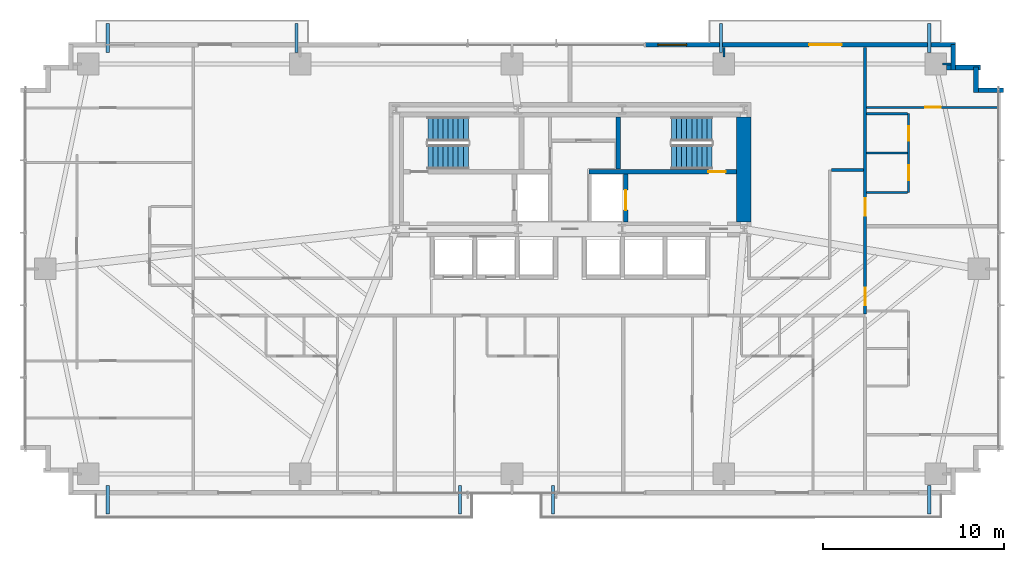
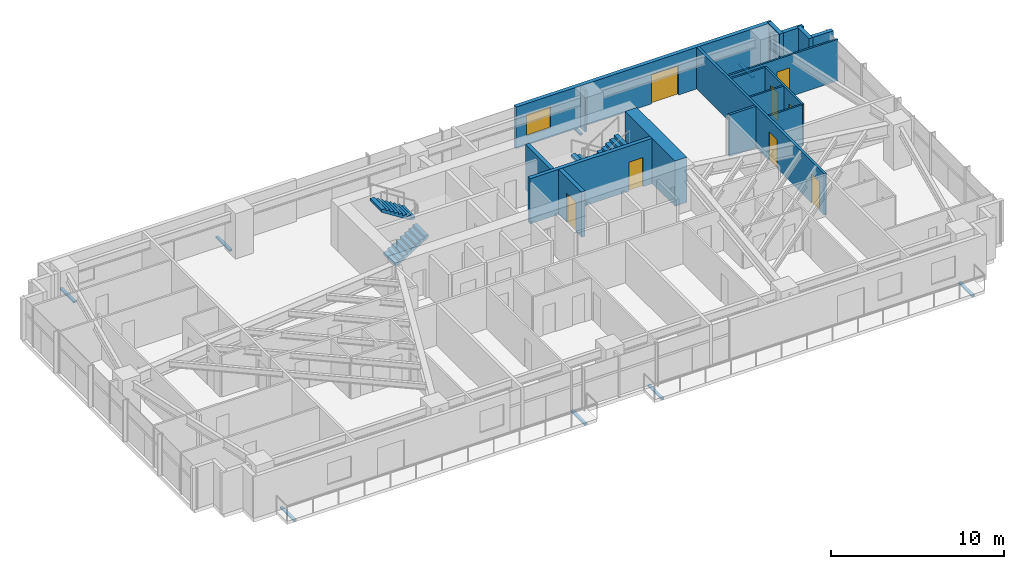
# One storey, part 22 of 25: 18 walls, 8 discrete accessories, 8 doors, 4 stair flights, 1 window, 9 openings, 2 elements without a shape of their own.
"""IFC4 building model written with IfcOpenShell, lengths in metres."""

from ifc_helpers import new_model, si_unit, direction, frame, frame_2d, origin, origin_2d, place, context, subcontext, project, spatial, polyline, rectangle, outline, extrude, source, transform, mapped, material, layer, layer_set, type_object, type_shapes, element, fill, aggregate, save


model = new_model("IFC4")

# Units and contexts
model_context = context("Model", 3, precision=1e-05, world=origin(), true_north=direction((0.0, 1.0)))
body_context = subcontext(model_context, "Body", "Model", "MODEL_VIEW")
ifc_project = project(units=[si_unit("LENGTHUNIT", "METRE"), si_unit("AREAUNIT", "SQUARE_METRE"), si_unit("VOLUMEUNIT", "CUBIC_METRE"), si_unit("PLANEANGLEUNIT", "RADIAN"), si_unit("MASSUNIT", "GRAM", prefix="KILO")], contexts=[model_context])

# Site, building, storey
site_placement = place(None, origin())
site = spatial("IfcSite", under=ifc_project, at=site_placement, CompositionType="ELEMENT")
building_placement = place(site_placement, origin())
building = spatial("IfcBuilding", under=site, at=building_placement, Name="Astriad Promenade Condominiums", CompositionType="ELEMENT")
storey_placement = place(building_placement, frame((0.0, 0.0, 48.60009765625)))
storey = spatial("IfcBuildingStorey", under=building, at=storey_placement, Name="L13", CompositionType="ELEMENT", Elevation=48.60009765625)

# Wall
ifc_material_1 = material(Name="Concrete C80/95", Category="concrete")
ifc_layer_1 = layer(ifc_material_1, 0.800048828125)
ifc_layer_set_1 = layer_set([ifc_layer_1], Name="Concrete C80/95")
wall_type_1 = type_object("IfcWallType", Name="CW-SHEAR-800", PredefinedType="SHEAR", material=ifc_layer_set_1)
wall_1_placement = place(storey_placement, frame((45.60009765625, 17.802001953125, 0.0), z_axis=(0.0, 0.0, 1.0), x_axis=(0.0, 1.0, 0.0)))
element("IfcWall", 1, at=wall_1_placement, inside=storey, type_object=wall_type_1, Name="CW-CORE-E-L13", PredefinedType="SHEAR", context=body_context, shape_type="SweptSolid", body=[
    extrude(rectangle(XDim=5.7958984375, YDim=0.800048828125, at=frame_2d((2.89794921875, 0.0))), origin(), (0.0, 0.0, 1.0), 3.199951171875),
])

# Wall, opening, door
ifc_material_2 = material(Name="Concrete C50/60", Category="concrete")
ifc_layer_2 = layer(ifc_material_2, 0.25)
ifc_layer_set_2 = layer_set([ifc_layer_2], Name="Concrete C50/60")
wall_type_2 = type_object("IfcWallType", Name="WALL-CORE-INT-250", PredefinedType="SOLIDWALL", material=ifc_layer_set_2)
wall_2_placement = place(storey_placement, frame((37.050048828125, 20.574951171875, 0.0), z_axis=(0.0, 0.0, 1.0), x_axis=(1.0, 0.0, 0.0)))
wall_2 = element("IfcWall", 2, at=wall_2_placement, inside=storey, type_object=wall_type_2, Name="CW-INT-H2-L13", PredefinedType="SOLIDWALL", context=body_context, shape_type="SweptSolid", body=[
    extrude(rectangle(XDim=8.14794921875, YDim=0.25, at=frame_2d((4.073974609375, 0.0))), origin(), (0.0, 0.0, 1.0), 3.199951171875),
])
opening_1_placement = place(wall_2_placement, frame((6.60009765625, 0.0, 0.0)))
opening_1 = element("IfcOpeningElement", 3, at=opening_1_placement, cuts=wall_2, Name="Opening FD90-ST-095", PredefinedType="OPENING", context=body_context, shape_type="SweptSolid", body=[
    extrude(rectangle(XDim=0.949951171875, YDim=2.06005859375, at=frame_2d((0.47509765625, 1.030029296875))), frame((0.0, 0.135009765625, 0.0), z_axis=(0.0, -1.0, 0.0), x_axis=(1.0, 0.0, 0.0)), (0.0, 0.0, 1.0), 0.27001953125),
])
ifc_material_3 = material(Name="Fire-Rated Hollow Metal Stair Door")
door_type_1 = type_object("IfcDoorType", Name="FD90-ST-095", OperationType="NOTDEFINED", PredefinedType="DOOR", material=ifc_material_3)
shared_shape_1 = source(origin(), body_context, "Body", "SweptSolid", [
    extrude(rectangle(XDim=0.949951171875, YDim=2.06005859375, at=frame_2d((0.47509765625, 1.030029296875))), frame((0.0, 0.02490234375, 0.0), z_axis=(0.0, -1.0, 0.0), x_axis=(1.0, 0.0, 0.0)), (0.0, 0.0, 1.0), 0.050048828125),
])
type_shapes(door_type_1, [shared_shape_1])
door_1_placement = place(opening_1_placement, origin())
door_1 = element("IfcDoor", 4, at=door_1_placement, inside=storey, type_object=door_type_1, Name="D-ST2-L13", OperationType="SINGLE_SWING_RIGHT", OverallHeight=2.06005859375, OverallWidth=0.949951171875, PredefinedType="DOOR", context=body_context, shape_type="MappedRepresentation", body=[
    mapped(shared_shape_1, transform((0.0, 0.0, 0.0), scale=1.0)),
])
fill(opening_1, door_1)

# Wall
wall_3_placement = place(storey_placement, frame((38.675048828125, 20.701904296875, 0.0), z_axis=(0.0, 0.0, 1.0), x_axis=(0.0, 1.0, 0.0)))
element("IfcWall", 5, at=wall_3_placement, inside=storey, type_object=wall_type_2, Name="CW-ST2-W-L13", PredefinedType="SOLIDWALL", context=body_context, shape_type="SweptSolid", body=[
    extrude(rectangle(XDim=2.89599609375, YDim=0.25, at=frame_2d((1.447998046875, 0.0))), origin(), (0.0, 0.0, 1.0), 3.199951171875),
])

# Wall, opening, door
wall_4_placement = place(storey_placement, frame((39.074951171875, 17.802001953125, 0.0), z_axis=(0.0, 0.0, 1.0), x_axis=(0.0, 1.0, 0.0)))
wall_4 = element("IfcWall", 6, at=wall_4_placement, inside=storey, type_object=wall_type_2, Name="CW-FFL2-E-L13", PredefinedType="SOLIDWALL", context=body_context, shape_type="SweptSolid", body=[
    extrude(rectangle(XDim=2.64599609375, YDim=0.25, at=frame_2d((1.322998046875, 0.0))), origin(), (0.0, 0.0, 1.0), 3.199951171875),
])
opening_2_placement = place(wall_4_placement, frame((0.64794921875, 0.0, 0.0)))
opening_2 = element("IfcOpeningElement", 7, at=opening_2_placement, cuts=wall_4, Name="Opening LD-FFL-1122", PredefinedType="OPENING", context=body_context, shape_type="SweptSolid", body=[
    extrude(rectangle(XDim=1.10009765625, YDim=2.080078125, at=frame_2d((0.550048828125, 1.0400390625))), frame((0.0, 0.135009765625, 0.0), z_axis=(0.0, -1.0, 0.0), x_axis=(1.0, 0.0, 0.0)), (0.0, 0.0, 1.0), 0.27001953125),
])
ifc_material_4 = material(Name="Brushed Stainless Steel Fire Elevator Landing Door", Category="steel")
door_type_2 = type_object("IfcDoorType", Name="LD-FFL-1122", OperationType="NOTDEFINED", PredefinedType="DOOR", material=ifc_material_4)
shared_shape_2 = source(origin(), body_context, "Body", "SweptSolid", [
    extrude(rectangle(XDim=1.10009765625, YDim=2.080078125, at=frame_2d((0.550048828125, 1.0400390625))), frame((0.0, 0.02490234375, 0.0), z_axis=(0.0, -1.0, 0.0), x_axis=(1.0, 0.0, 0.0)), (0.0, 0.0, 1.0), 0.050048828125),
])
type_shapes(door_type_2, [shared_shape_2])
door_2_placement = place(opening_2_placement, origin())
door_2 = element("IfcDoor", 8, at=door_2_placement, inside=storey, type_object=door_type_2, Name="Elevator Landing Door FFL-2 (L13)", OperationType="SLIDING_TO_RIGHT", OverallHeight=2.080078125, OverallWidth=1.10009765625, PredefinedType="DOOR", context=body_context, shape_type="MappedRepresentation", body=[
    mapped(shared_shape_2, transform((0.0, 0.0, 0.0), scale=1.0)),
])
fill(opening_2, door_2)

# Wall, openings, doors
ifc_material_5 = material(Name="Fire-Rated Gypsum Partition")
ifc_layer_3 = layer(ifc_material_5, 0.159912109375)
ifc_layer_set_3 = layer_set([ifc_layer_3], Name="Fire-Rated Gypsum Partition")
wall_type_3 = type_object("IfcWallType", Name="WALL-CORR-160", PredefinedType="PARTITIONING", material=ifc_layer_set_3)
wall_5_placement = place(storey_placement, frame((52.300048828125, 12.7119140625, 0.0), z_axis=(0.0, 0.0, 1.0), x_axis=(0.0, 1.0, 0.0)))
wall_5 = element("IfcWall", 9, at=wall_5_placement, inside=storey, type_object=wall_type_3, Name="PT-COR-E-L13-S2", PredefinedType="PARTITIONING", context=body_context, shape_type="SweptSolid", body=[
    extrude(rectangle(XDim=14.72607421875, YDim=0.159912109375, at=frame_2d((7.363037109375, 0.0))), origin(), (0.0, 0.0, 1.0), 2.93994140625),
])
opening_3_placement = place(wall_5_placement, frame((0.492919921875, 0.0, 0.0)))
opening_3 = element("IfcOpeningElement", 10, at=opening_3_placement, cuts=wall_5, Name="Opening FD60-APT-095", PredefinedType="OPENING", context=body_context, shape_type="SweptSolid", body=[
    extrude(rectangle(XDim=0.949951171875, YDim=2.06005859375, at=frame_2d((0.47509765625, 1.030029296875))), frame((0.0, 0.08984375, 0.0), z_axis=(0.0, -1.0, 0.0), x_axis=(1.0, 0.0, 0.0)), (0.0, 0.0, 1.0), 0.179931640625),
])
opening_4_placement = place(wall_5_placement, frame((5.43310546875, 0.0, 0.0)))
opening_4 = element("IfcOpeningElement", 11, at=opening_4_placement, cuts=wall_5, Name="Opening FD60-APT-095", PredefinedType="OPENING", context=body_context, shape_type="SweptSolid", body=[
    extrude(rectangle(XDim=0.949951171875, YDim=2.06005859375, at=frame_2d((0.47509765625, 1.030029296875))), frame((0.0, 0.08984375, 0.0), z_axis=(0.0, -1.0, 0.0), x_axis=(1.0, 0.0, 0.0)), (0.0, 0.0, 1.0), 0.179931640625),
])
ifc_material_6 = material(Name="Solid-Core Acoustic Timber Residence Entry Door", Category="wood")
door_type_3 = type_object("IfcDoorType", Name="FD60-APT-095", OperationType="NOTDEFINED", PredefinedType="DOOR", material=ifc_material_6)
shared_shape_3 = source(origin(), body_context, "Body", "SweptSolid", [
    extrude(rectangle(XDim=0.949951171875, YDim=2.06005859375, at=frame_2d((0.47509765625, 1.030029296875))), frame((0.0, 0.02490234375, 0.0), z_axis=(0.0, -1.0, 0.0), x_axis=(1.0, 0.0, 0.0)), (0.0, 0.0, 1.0), 0.050048828125),
])
type_shapes(door_type_3, [shared_shape_3])
door_3_placement = place(opening_3_placement, origin())
door_3 = element("IfcDoor", 12, at=door_3_placement, inside=storey, type_object=door_type_3, Name="D-ENT-L13-E1", OperationType="SINGLE_SWING_LEFT", OverallHeight=2.06005859375, OverallWidth=0.949951171875, PredefinedType="DOOR", context=body_context, shape_type="MappedRepresentation", body=[
    mapped(shared_shape_3, transform((0.0, 0.0, 0.0), scale=1.0)),
])
fill(opening_3, door_3)
door_4_placement = place(opening_4_placement, origin())
door_4 = element("IfcDoor", 13, at=door_4_placement, inside=storey, type_object=door_type_3, Name="D-ENT-L13-E2", OperationType="SINGLE_SWING_LEFT", OverallHeight=2.06005859375, OverallWidth=0.949951171875, PredefinedType="DOOR", context=body_context, shape_type="MappedRepresentation", body=[
    mapped(shared_shape_3, transform((0.0, 0.0, 0.0), scale=1.0)),
])
fill(opening_4, door_4)

# Wall
wall_6_placement = place(storey_placement, frame((50.431884765625, 20.64990234375, 0.0), z_axis=(0.0, 0.0, 1.0), x_axis=(1.0, 0.0, 0.0)))
element("IfcWall", 14, at=wall_6_placement, inside=storey, type_object=wall_type_3, Name="PT-EALC-N-L13", PredefinedType="PARTITIONING", context=body_context, shape_type="SweptSolid", body=[
    extrude(rectangle(XDim=1.7861328125, YDim=0.159912109375, at=frame_2d((0.89306640625, 0.0))), origin(), (0.0, 0.0, 1.0), 2.93994140625),
])

# Wall, openings, door, window
ifc_material_7 = material(Name="Precast concrete C50/60", Category="concrete")
ifc_layer_4 = layer(ifc_material_7, 0.260009765625)
ifc_layer_set_4 = layer_set([ifc_layer_4], Name="Precast concrete C50/60")
wall_type_4 = type_object("IfcWallType", Name="WALL-EXT-TWR-260", PredefinedType="STANDARD", material=ifc_layer_set_4)
wall_7_placement = place(storey_placement, frame((40.14990234375, 27.570068359375, 0.0), z_axis=(0.0, 0.0, 1.0), x_axis=(1.0, 0.0, 0.0)))
wall_7 = element("IfcWall", 15, at=wall_7_placement, inside=storey, type_object=wall_type_4, Name="W-EXT-L13-N2", PredefinedType="STANDARD", context=body_context, shape_type="SweptSolid", body=[
    extrude(rectangle(XDim=17.150146484375, YDim=0.260009765625, at=frame_2d((8.5751953125, 0.0))), origin(), (0.0, 0.0, 1.0), 2.93994140625),
])
opening_5_placement = place(wall_7_placement, frame((9.06005859375, 0.0, 0.0)))
opening_5 = element("IfcOpeningElement", 16, at=opening_5_placement, cuts=wall_7, Name="Opening BD-1822-SLD", PredefinedType="OPENING", context=body_context, shape_type="SweptSolid", body=[
    extrude(rectangle(XDim=1.800048828125, YDim=2.06005859375, at=frame_2d((0.89990234375, 1.030029296875))), frame((0.0, 0.139892578125, 0.0), z_axis=(0.0, -1.0, 0.0), x_axis=(1.0, 0.0, 0.0)), (0.0, 0.0, 1.0), 0.280029296875),
])
opening_6_placement = place(wall_7_placement, frame((0.699951171875, 0.0, 0.64990234375)))
opening_6 = element("IfcOpeningElement", 17, at=opening_6_placement, cuts=wall_7, Name="Opening WIN-TWR-1620", PredefinedType="OPENING", context=body_context, shape_type="SweptSolid", body=[
    extrude(rectangle(XDim=1.60009765625, YDim=1.5, at=frame_2d((0.800048828125, 0.75))), frame((0.0, 0.139892578125, 0.0), z_axis=(0.0, -1.0, 0.0), x_axis=(1.0, 0.0, 0.0)), (0.0, 0.0, 1.0), 0.280029296875),
])
ifc_material_8 = material(Name="Thermally Broken Aluminium Sliding Balcony Door", Category="aluminium")
door_type_4 = type_object("IfcDoorType", Name="BD-1822-SLD", OperationType="NOTDEFINED", PredefinedType="DOOR", material=ifc_material_8)
shared_shape_4 = source(origin(), body_context, "Body", "SweptSolid", [
    extrude(rectangle(XDim=1.800048828125, YDim=2.06005859375, at=frame_2d((0.89990234375, 1.030029296875))), frame((0.0, 0.02490234375, 0.0), z_axis=(0.0, -1.0, 0.0), x_axis=(1.0, 0.0, 0.0)), (0.0, 0.0, 1.0), 0.050048828125),
])
type_shapes(door_type_4, [shared_shape_4])
door_5_placement = place(opening_5_placement, origin())
door_5 = element("IfcDoor", 18, at=door_5_placement, inside=storey, type_object=door_type_4, Name="BD-L13-NE", OperationType="SLIDING_TO_RIGHT", OverallHeight=2.06005859375, OverallWidth=1.800048828125, PredefinedType="DOOR", context=body_context, shape_type="MappedRepresentation", body=[
    mapped(shared_shape_4, transform((0.0, 0.0, 0.0), scale=1.0)),
])
fill(opening_5, door_5)
ifc_material_9 = material(Name="Dark Tinted Triple-Glazed Aluminium Window", Category="aluminium")
window_type = type_object("IfcWindowType", Name="WIN-TWR-1620", PartitioningType="SINGLE_PANEL", PredefinedType="WINDOW", material=ifc_material_9)
shared_shape_5 = source(origin(), body_context, "Body", "SweptSolid", [
    extrude(rectangle(XDim=1.60009765625, YDim=1.5, at=frame_2d((0.800048828125, 0.75))), frame((0.0, 0.030029296875, 0.0), z_axis=(0.0, -1.0, 0.0), x_axis=(1.0, 0.0, 0.0)), (0.0, 0.0, 1.0), 0.06005859375),
])
type_shapes(window_type, [shared_shape_5])
window_placement = place(opening_6_placement, origin())
window = element("IfcWindow", 19, at=window_placement, inside=storey, type_object=window_type, Name="WIN-L13-NE", OverallHeight=1.5, OverallWidth=1.60009765625, PartitioningType="SINGLE_PANEL", PredefinedType="WINDOW", context=body_context, shape_type="MappedRepresentation", body=[
    mapped(shared_shape_5, transform((0.0, 0.0, 0.0), scale=1.0)),
])
fill(opening_6, window)

# Walls
wall_8_placement = place(storey_placement, frame((57.169921875, 27.5849609375, 0.0), z_axis=(0.0, 0.0, 1.0), x_axis=(0.0, -1.0, 0.0)))
element("IfcWall", 20, at=wall_8_placement, inside=storey, type_object=wall_type_4, Name="W-SER-L13-09", PredefinedType="STANDARD", context=body_context, shape_type="SweptSolid", body=[
    extrude(rectangle(XDim=1.39501953125, YDim=0.260009765625, at=frame_2d((0.697509765625, 0.0))), origin(), (0.0, 0.0, 1.0), 2.93994140625),
])
wall_9_placement = place(storey_placement, frame((56.802001953125, 26.320068359375, 0.0), z_axis=(0.0, 0.0, 1.0), x_axis=(1.0, 0.0, 0.0)))
element("IfcWall", 21, at=wall_9_placement, inside=storey, type_object=wall_type_4, Name="W-SER-L13-10", PredefinedType="STANDARD", context=body_context, shape_type="SweptSolid", body=[
    extrude(rectangle(XDim=1.8779296875, YDim=0.260009765625, at=frame_2d((0.93896484375, 0.0))), origin(), (0.0, 0.0, 1.0), 2.93994140625),
])
for number, where, z_axis, x_axis, name in (
    (22, (58.419921875, 26.3349609375, 0.0), (0.0, 0.0, 1.0), (0.0, -1.0, 0.0), "W-SER-L13-11"),
    (23, (58.534912109375, 25.070068359375, 0.0), (0.0, 0.0, 1.0), (1.0, 0.0, 0.0), "W-SER-L13-12"),
):
    element("IfcWall", number, at=place(storey_placement, frame(where, z_axis=z_axis, x_axis=x_axis)), inside=storey, type_object=wall_type_4, Name=name, PredefinedType="STANDARD", context=body_context, shape_type="SweptSolid", body=[
        extrude(rectangle(XDim=1.39501953125, YDim=0.260009765625, at=frame_2d((0.697509765625, 0.0))), origin(), (0.0, 0.0, 1.0), 2.93994140625),
    ])

# Wall, openings, doors
ifc_material_10 = material(Name="Acoustic Metal-Stud Gypsum Partition")
ifc_layer_5 = layer(ifc_material_10, 0.1201171875)
ifc_layer_set_5 = layer_set([ifc_layer_5], Name="Acoustic Metal-Stud Gypsum Partition")
wall_type_5 = type_object("IfcWallType", Name="WALL-PART-120", PredefinedType="PARTITIONING", material=ifc_layer_set_5)
wall_10_placement = place(storey_placement, frame((54.699951171875, 19.419921875, 0.0), z_axis=(0.0, 0.0, 1.0), x_axis=(0.0, 1.0, 0.0)))
wall_10 = element("IfcWall", 24, at=wall_10_placement, inside=storey, type_object=wall_type_5, Name="PT-L13-E2-PV", PredefinedType="PARTITIONING", context=body_context, shape_type="SweptSolid", body=[
    extrude(rectangle(XDim=4.35009765625, YDim=0.1201171875, at=frame_2d((2.175048828125, 0.0))), origin(), (0.0, 0.0, 1.0), 2.93994140625),
])
opening_7_placement = place(wall_10_placement, frame((0.6630859375, 0.0, 0.0)))
opening_7 = element("IfcOpeningElement", 25, at=opening_7_placement, cuts=wall_10, Name="Opening D-INT-085", PredefinedType="OPENING", context=body_context, shape_type="SweptSolid", body=[
    extrude(rectangle(XDim=0.85009765625, YDim=2.050048828125, at=frame_2d((0.425048828125, 1.02490234375))), frame((0.0, 0.070068359375, 0.0), z_axis=(0.0, -1.0, 0.0), x_axis=(1.0, 0.0, 0.0)), (0.0, 0.0, 1.0), 0.14013671875),
])
opening_8_placement = place(wall_10_placement, frame((2.862060546875, 0.0, 0.0)))
opening_8 = element("IfcOpeningElement", 26, at=opening_8_placement, cuts=wall_10, Name="Opening D-WET-080", PredefinedType="OPENING", context=body_context, shape_type="SweptSolid", body=[
    extrude(rectangle(XDim=0.800048828125, YDim=2.02001953125, at=frame_2d((0.39990234375, 1.010009765625))), frame((0.0, 0.070068359375, 0.0), z_axis=(0.0, -1.0, 0.0), x_axis=(1.0, 0.0, 0.0)), (0.0, 0.0, 1.0), 0.14013671875),
])
ifc_material_11 = material(Name="Moisture-Resistant Timber Bathroom Door", Category="wood")
door_type_5 = type_object("IfcDoorType", Name="D-WET-080", OperationType="NOTDEFINED", PredefinedType="DOOR", material=ifc_material_11)
shared_shape_6 = source(origin(), body_context, "Body", "SweptSolid", [
    extrude(rectangle(XDim=0.800048828125, YDim=2.02001953125, at=frame_2d((0.39990234375, 1.010009765625))), frame((0.0, 0.02490234375, 0.0), z_axis=(0.0, -1.0, 0.0), x_axis=(1.0, 0.0, 0.0)), (0.0, 0.0, 1.0), 0.050048828125),
])
type_shapes(door_type_5, [shared_shape_6])
door_6_placement = place(opening_8_placement, origin())
door_6 = element("IfcDoor", 27, at=door_6_placement, inside=storey, type_object=door_type_5, Name="D-BTH-L13-E2", OperationType="SINGLE_SWING_LEFT", OverallHeight=2.02001953125, OverallWidth=0.800048828125, PredefinedType="DOOR", context=body_context, shape_type="MappedRepresentation", body=[
    mapped(shared_shape_6, transform((0.0, 0.0, 0.0), scale=1.0)),
])
fill(opening_8, door_6)
ifc_material_12 = material(Name="Painted Solid-Core Timber Room Door", Category="wood")
door_type_6 = type_object("IfcDoorType", Name="D-INT-085", OperationType="NOTDEFINED", PredefinedType="DOOR", material=ifc_material_12)
shared_shape_7 = source(origin(), body_context, "Body", "SweptSolid", [
    extrude(rectangle(XDim=0.85009765625, YDim=2.050048828125, at=frame_2d((0.425048828125, 1.02490234375))), frame((0.0, 0.02490234375, 0.0), z_axis=(0.0, -1.0, 0.0), x_axis=(1.0, 0.0, 0.0)), (0.0, 0.0, 1.0), 0.050048828125),
])
type_shapes(door_type_6, [shared_shape_7])
door_7_placement = place(opening_7_placement, origin())
door_7 = element("IfcDoor", 28, at=door_7_placement, inside=storey, type_object=door_type_6, Name="D-KIT-L13-E2", OperationType="SINGLE_SWING_RIGHT", OverallHeight=2.050048828125, OverallWidth=0.85009765625, PredefinedType="DOOR", context=body_context, shape_type="MappedRepresentation", body=[
    mapped(shared_shape_7, transform((0.0, 0.0, 0.0), scale=1.0)),
])
fill(opening_7, door_7)

# Walls
for number, where, z_axis, x_axis, name in (
    (29, (52.382080078125, 21.594970703125, 0.0), (0.0, 0.0, 1.0), (1.0, 0.0, 0.0), "PT-L13-E2-PM"),
    (30, (52.382080078125, 19.419921875, 0.0), (0.0, 0.0, 1.0), (1.0, 0.0, 0.0), "PT-L13-E2-PS"),
    (31, (52.382080078125, 23.77001953125, 0.0), (0.0, 0.0, 1.0), (1.0, 0.0, 0.0), "PT-L13-E2-PN"),
):
    element("IfcWall", number, at=place(storey_placement, frame(where, z_axis=z_axis, x_axis=x_axis)), inside=storey, type_object=wall_type_5, Name=name, PredefinedType="PARTITIONING", context=body_context, shape_type="SweptSolid", body=[
        extrude(rectangle(XDim=2.255859375, YDim=0.1201171875, at=frame_2d((1.1279296875, 0.0))), origin(), (0.0, 0.0, 1.0), 2.93994140625),
    ])

# Wall, opening, door
wall_11_placement = place(storey_placement, frame((52.382080078125, 24.1201171875, 0.0), z_axis=(0.0, 0.0, 1.0), x_axis=(1.0, 0.0, 0.0)))
wall_11 = element("IfcWall", 32, at=wall_11_placement, inside=storey, type_object=wall_type_5, Name="PT-L13-E2-B1", PredefinedType="PARTITIONING", context=body_context, shape_type="SweptSolid", body=[
    extrude(rectangle(XDim=7.337890625, YDim=0.1201171875, at=frame_2d((3.6689453125, 0.0))), origin(), (0.0, 0.0, 1.0), 2.93994140625),
])
opening_9_placement = place(wall_11_placement, frame((3.2529296875, 0.0, 0.0)))
opening_9 = element("IfcOpeningElement", 33, at=opening_9_placement, cuts=wall_11, Name="Opening D-INT-085", PredefinedType="OPENING", context=body_context, shape_type="SweptSolid", body=[
    extrude(rectangle(XDim=0.85009765625, YDim=2.050048828125, at=frame_2d((0.425048828125, 1.02490234375))), frame((0.0, 0.070068359375, 0.0), z_axis=(0.0, -1.0, 0.0), x_axis=(1.0, 0.0, 0.0)), (0.0, 0.0, 1.0), 0.14013671875),
])
door_8_placement = place(opening_9_placement, origin())
door_8 = element("IfcDoor", 34, at=door_8_placement, inside=storey, type_object=door_type_6, Name="D-BD1-L13-E2", OperationType="SINGLE_SWING_RIGHT", OverallHeight=2.050048828125, OverallWidth=0.85009765625, PredefinedType="DOOR", context=body_context, shape_type="MappedRepresentation", body=[
    mapped(shared_shape_7, transform((0.0, 0.0, 0.0), scale=1.0)),
])
fill(opening_9, door_8)

# Walls
wall_12_placement = place(storey_placement, frame((44.5, 26.89990234375, 0.0), z_axis=(0.0, 0.0, 1.0), x_axis=(0.0, 1.0, 0.0)))
element("IfcWall", 35, at=wall_12_placement, inside=storey, type_object=wall_type_5, Name="PT-PIL-L13-PC09-16", PredefinedType="PARTITIONING", context=body_context, shape_type="SweptSolid", body=[
    extrude(rectangle(XDim=0.5380859375, YDim=0.1201171875, at=frame_2d((0.26904296875, 0.0))), origin(), (0.0, 0.0, 1.0), 2.93994140625),
])
wall_13_placement = place(storey_placement, frame((56.580078125, 26.52001953125, 0.0), z_axis=(0.0, 0.0, 1.0), x_axis=(1.0, 0.0, 0.0)))
element("IfcWall", 36, at=wall_13_placement, inside=storey, type_object=wall_type_5, Name="PT-PIL-L13-PC10-17", PredefinedType="PARTITIONING", context=body_context, shape_type="SweptSolid", body=[
    extrude(rectangle(XDim=0.4580078125, YDim=0.1201171875, at=frame_2d((0.22900390625, 0.0))), origin(), (0.0, 0.0, 1.0), 2.93994140625),
])

# Stair, stair flights
stair_type = type_object("IfcStairType", Name="STR-CORE-1350", PredefinedType="HALF_TURN_STAIR", material=ifc_material_2)
stair_1_placement = place(storey_placement, origin())
stair_1 = element("IfcStair", 37, at=stair_1_placement, inside=storey, type_object=stair_type, Name="L13 Enclosed Core Exit Stair ST-1", PredefinedType="HALF_TURN_STAIR")
stair_flight_type = type_object("IfcStairFlightType", Name="SFL-CORE-1350", PredefinedType="STRAIGHT", material=ifc_material_2)
shared_shape_8 = source(origin(), body_context, "Body", "SweptSolid", [
    extrude(outline(polyline([(0.0, 0.0), (0.0, 0.177734375), (0.280029296875, 0.177734375), (0.280029296875, 0.35546875), (0.56005859375, 0.35546875), (0.56005859375, 0.533447265625), (0.840087890625, 0.533447265625), (0.840087890625, 0.711181640625), (1.1201171875, 0.711181640625), (1.1201171875, 0.888916015625), (1.39990234375, 0.888916015625), (1.39990234375, 1.066650390625), (1.679931640625, 1.066650390625), (1.679931640625, 1.244384765625), (1.9599609375, 1.244384765625), (1.9599609375, 1.422119140625), (2.239990234375, 1.422119140625), (2.239990234375, 1.60009765625), (2.239990234375, 1.24462890625), (0.27978515625, 0.0), (0.0, 0.0)])), frame((0.0, 0.675048828125, 0.0), z_axis=(0.0, -1.0, 0.0), x_axis=(1.0, 0.0, 0.0)), (0.0, 0.0, 1.0), 1.35009765625),
])
type_shapes(stair_flight_type, [shared_shape_8])
stair_flight_1_placement = place(storey_placement, frame((28.14990234375, 21.375, 0.0), z_axis=(0.0, 0.0, 1.0), x_axis=(1.0, 0.0, 0.0)))
stair_flight_1 = element("IfcStairFlight", 38, at=stair_flight_1_placement, type_object=stair_flight_type, Name="ST-1 flight 1", NumberOfRisers=9, NumberOfTreads=8, PredefinedType="STRAIGHT", RiserHeight=0.177777778, TreadLength=0.28, context=body_context, shape_type="MappedRepresentation", body=[
    mapped(shared_shape_8, transform((0.0, 0.0, 0.0), scale=1.0)),
])
stair_flight_2_placement = place(storey_placement, frame((30.389892578125, 22.925048828125, 1.599853515625), z_axis=(0.0, 0.0, 1.0), x_axis=(-1.0, 0.0, 0.0)))
stair_flight_2 = element("IfcStairFlight", 39, at=stair_flight_2_placement, type_object=stair_flight_type, Name="ST-1 flight 2", NumberOfRisers=9, NumberOfTreads=8, PredefinedType="STRAIGHT", RiserHeight=0.177777778, TreadLength=0.28, context=body_context, shape_type="MappedRepresentation", body=[
    mapped(shared_shape_8, transform((0.0, 0.0, 0.0), scale=1.0)),
])
aggregate(stair_1, [stair_flight_1, stair_flight_2])

stair_2_placement = place(storey_placement, origin())
stair_2 = element("IfcStair", 40, at=stair_2_placement, inside=storey, type_object=stair_type, Name="L13 Enclosed Core Exit Stair ST-2", PredefinedType="HALF_TURN_STAIR")
stair_flight_3_placement = place(storey_placement, frame((43.85009765625, 22.925048828125, 0.0), z_axis=(0.0, 0.0, 1.0), x_axis=(-1.0, 0.0, 0.0)))
stair_flight_3 = element("IfcStairFlight", 41, at=stair_flight_3_placement, type_object=stair_flight_type, Name="ST-2 flight 1", NumberOfRisers=9, NumberOfTreads=8, PredefinedType="STRAIGHT", RiserHeight=0.177777778, TreadLength=0.28, context=body_context, shape_type="MappedRepresentation", body=[
    mapped(shared_shape_8, transform((0.0, 0.0, 0.0), scale=1.0)),
])
stair_flight_4_placement = place(storey_placement, frame((41.610107421875, 21.375, 1.599853515625), z_axis=(0.0, 0.0, 1.0), x_axis=(1.0, 0.0, 0.0)))
stair_flight_4 = element("IfcStairFlight", 42, at=stair_flight_4_placement, type_object=stair_flight_type, Name="ST-2 flight 2", NumberOfRisers=9, NumberOfTreads=8, PredefinedType="STRAIGHT", RiserHeight=0.177777778, TreadLength=0.28, context=body_context, shape_type="MappedRepresentation", body=[
    mapped(shared_shape_8, transform((0.0, 0.0, 0.0), scale=1.0)),
])
aggregate(stair_2, [stair_flight_3, stair_flight_4])

# Discrete accessories
ifc_material_13 = material(Name="Steel ASTM A572 Grade 50", Category="steel")
discrete_accessory_type = type_object("IfcDiscreteAccessoryType", Name="STEEL BALCONY OUTRIGGER BRACKET", PredefinedType="BRACKET", material=ifc_material_13)
shared_shape_9 = source(origin(), body_context, "Body", "SweptSolid", [
    extrude(rectangle(XDim=1.60009765625, YDim=0.179931640625, at=origin_2d()), origin(), (0.0, 0.0, 1.0), 0.1220703125),
])
type_shapes(discrete_accessory_type, [shared_shape_9])
for number, where, z_axis, x_axis, name in (
    (43, (10.47802734375, 2.449951171875, -0.340087890625), (0.0, 0.0, 1.0), (0.0, -1.0, 0.0), "Balcony Outrigger Bracket BAL-L13-SW-A"),
    (44, (29.923095703125, 2.449951171875, -0.340087890625), (0.0, 0.0, 1.0), (0.0, -1.0, 0.0), "Balcony Outrigger Bracket BAL-L13-SW-B"),
    (45, (35.068115234375, 2.449951171875, -0.340087890625), (0.0, 0.0, 1.0), (0.0, -1.0, 0.0), "Balcony Outrigger Bracket BAL-L13-SE-A"),
    (46, (55.843994140625, 2.449951171875, -0.340087890625), (0.0, 0.0, 1.0), (0.0, -1.0, 0.0), "Balcony Outrigger Bracket BAL-L13-SE-B"),
    (47, (10.47802734375, 27.949951171875, -0.340087890625), (0.0, 0.0, 1.0), (0.0, 1.0, 0.0), "Balcony Outrigger Bracket BAL-L13-NW-A"),
    (48, (20.89990234375, 27.949951171875, -0.340087890625), (0.0, 0.0, 1.0), (0.0, 1.0, 0.0), "Balcony Outrigger Bracket BAL-L13-NW-B"),
    (49, (44.340087890625, 27.949951171875, -0.340087890625), (0.0, 0.0, 1.0), (0.0, 1.0, 0.0), "Balcony Outrigger Bracket BAL-L13-NE-A"),
    (50, (55.843994140625, 27.949951171875, -0.340087890625), (0.0, 0.0, 1.0), (0.0, 1.0, 0.0), "Balcony Outrigger Bracket BAL-L13-NE-B"),
):
    element("IfcDiscreteAccessory", number, at=place(storey_placement, frame(where, z_axis=z_axis, x_axis=x_axis)), inside=storey, type_object=discrete_accessory_type, Name=name, PredefinedType="BRACKET", context=body_context, shape_type="MappedRepresentation", body=[
        mapped(shared_shape_9, transform((0.0, 0.0, 0.0), scale=1.0)),
    ])

save(model, "model.ifc")
